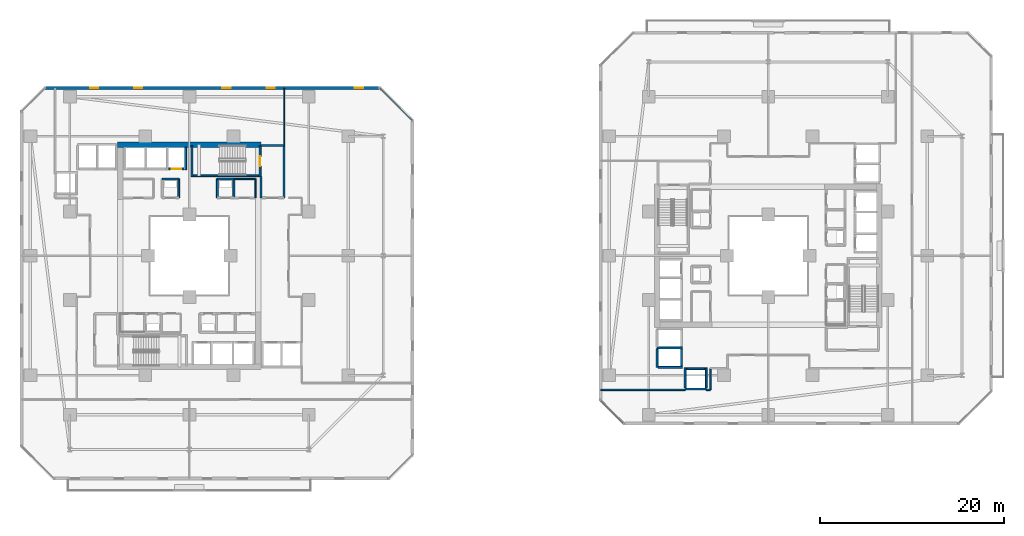
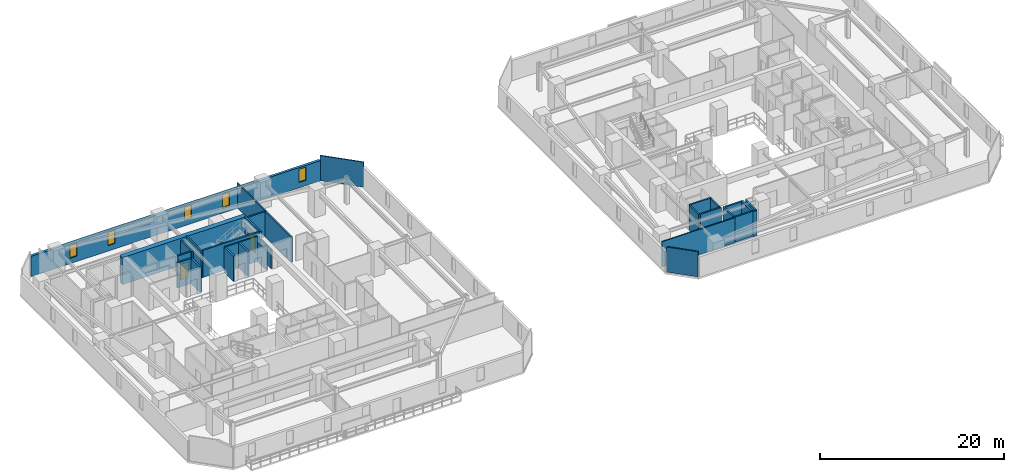
# One storey, part 23 of 34: 31 walls, 5 windows, 2 doors, 7 openings.
"""IFC4 building model written with IfcOpenShell, lengths in metres."""

from ifc_helpers import new_model, si_unit, direction, frame, frame_2d, origin, place, context, subcontext, project, spatial, rectangle, extrude, material, layer, layer_set, type_object, element, fill, save


model = new_model("IFC4")

# Units and contexts
model_context = context("Model", 3, precision=1e-05, world=origin(), true_north=direction((0.0, 1.0)))
body_context = subcontext(model_context, "Body", "Model", "MODEL_VIEW")
ifc_project = project(units=[si_unit("LENGTHUNIT", "METRE"), si_unit("AREAUNIT", "SQUARE_METRE"), si_unit("VOLUMEUNIT", "CUBIC_METRE"), si_unit("PLANEANGLEUNIT", "RADIAN"), si_unit("MASSUNIT", "GRAM", prefix="KILO")], contexts=[model_context])

# Site, building, storey
site_placement = place(None, origin())
site = spatial("IfcSite", under=ifc_project, at=site_placement, CompositionType="ELEMENT")
building_placement = place(site_placement, origin())
building = spatial("IfcBuilding", under=site, at=building_placement, Name="Thornwick Lancets Civic Towers", CompositionType="ELEMENT")
storey_placement = place(building_placement, frame((0.0, 0.0, 57.300048828125)))
storey = spatial("IfcBuildingStorey", under=building, at=storey_placement, Name="L14", CompositionType="ELEMENT", Elevation=57.300048828125)

# Wall, opening, door
ifc_material_1 = material(Name="Concrete blockwork C40/50", Category="masonry")
ifc_layer_1 = layer(ifc_material_1, 0.199951171875, Name="Concrete blockwork C40/50")
ifc_layer_set_1 = layer_set([ifc_layer_1], Name="Concrete blockwork C40/50")
wall_type_1 = type_object("IfcWallType", Name="WALL_COMP_200", PredefinedType="STANDARD", material=ifc_layer_set_1)
wall_1_placement = place(storey_placement, frame((24.919921875, 36.449951171875, 0.0), z_axis=(0.0, 0.0, 1.0), x_axis=(-1.0, 0.0, 0.0)))
wall_1 = element("IfcWall", 1, at=wall_1_placement, inside=storey, type_object=wall_type_1, Name="L14 Hoistway Front Wall FL-A2", PredefinedType="STANDARD", context=body_context, shape_type="SweptSolid", body=[
    extrude(rectangle(XDim=1.639892578125, YDim=0.199951171875, at=frame_2d((0.81982421875, 0.0))), origin(), (0.0, 0.0, 1.0), 3.33984375),
])
opening_1_placement = place(wall_1_placement, frame((0.31005859375, 0.0, 0.0)))
opening_1 = element("IfcOpeningElement", 2, at=opening_1_placement, cuts=wall_1, Name="Opening LD-FL-A2", PredefinedType="OPENING", context=body_context, shape_type="SweptSolid", body=[
    extrude(rectangle(XDim=1.02001953125, YDim=2.06005859375, at=frame_2d((0.510009765625, 1.030029296875))), frame((0.0, 0.10986328125, 0.0), z_axis=(0.0, -1.0, 0.0), x_axis=(1.0, 0.0, 0.0)), (0.0, 0.0, 1.0), 0.219970703125),
])
ifc_material_2 = material(Name="Brushed bronze stainless steel", Category="steel")
door_type_1 = type_object("IfcDoorType", Name="DOOR_LIFT_SLIDE", OperationType="SLIDING_TO_LEFT", PredefinedType="DOOR", material=ifc_material_2)
door_1_placement = place(opening_1_placement, origin())
door_1 = element("IfcDoor", 3, at=door_1_placement, inside=storey, type_object=door_type_1, Name="L14 Sliding Lift Landing Door LD-FL-A2", OperationType="SLIDING_TO_LEFT", OverallHeight=2.06005859375, OverallWidth=1.02001953125, PredefinedType="DOOR", context=body_context, shape_type="SweptSolid", body=[
    extrude(rectangle(XDim=1.02001953125, YDim=2.06005859375, at=frame_2d((0.510009765625, 1.030029296875))), frame((0.0, 0.02490234375, 0.0), z_axis=(0.0, -1.0, 0.0), x_axis=(1.0, 0.0, 0.0)), (0.0, 0.0, 1.0), 0.050048828125),
])
fill(opening_1, door_1)

# Walls
wall_2_placement = place(storey_placement, frame((79.050048828125, 15.030029296875, 0.0), z_axis=(0.0, 0.0, 1.0), x_axis=(0.0, 1.0, 0.0)))
element("IfcWall", 4, at=wall_2_placement, inside=storey, type_object=wall_type_1, Name="L14 Hoistway Front Wall PL-BM2", PredefinedType="STANDARD", context=body_context, shape_type="SweptSolid", body=[
    extrude(rectangle(XDim=1.7900390625, YDim=0.199951171875, at=frame_2d((0.89501953125, 0.0))), origin(), (0.0, 0.0, 1.0), 3.33984375),
])
wall_3_placement = place(storey_placement, frame((79.6298828125, 14.699951171875, 0.0), z_axis=(0.0, 0.0, 1.0), x_axis=(1.0, 0.0, 0.0)))
element("IfcWall", 5, at=wall_3_placement, inside=storey, type_object=wall_type_1, Name="L14 Hoistway Front Wall PL-BM3", PredefinedType="STANDARD", context=body_context, shape_type="SweptSolid", body=[
    extrude(rectangle(XDim=1.940185546875, YDim=0.199951171875, at=frame_2d((0.97021484375, 0.0))), origin(), (0.0, 0.0, 1.0), 3.33984375),
])
wall_4_placement = place(storey_placement, frame((25.10009765625, 36.35205078125, 0.0), z_axis=(0.0, 0.0, 1.0), x_axis=(0.0, 1.0, 0.0)))
element("IfcWall", 6, at=wall_4_placement, inside=storey, type_object=wall_type_1, Name="L14 Hoistway Shaft Wall FL-A2 E", PredefinedType="STANDARD", context=body_context, shape_type="SweptSolid", body=[
    extrude(rectangle(XDim=2.43603515625, YDim=0.199951171875, at=frame_2d((1.218017578125, 0.0))), origin(), (0.0, 0.0, 1.0), 3.33984375),
])
wall_5_placement = place(storey_placement, frame((76.402099609375, 16.97509765625, 0.0), z_axis=(0.0, 0.0, 1.0), x_axis=(1.0, 0.0, 0.0)))
element("IfcWall", 7, at=wall_5_placement, inside=storey, type_object=wall_type_1, Name="L14 Hoistway Shaft Wall PL-BM1 S", PredefinedType="STANDARD", context=body_context, shape_type="SweptSolid", body=[
    extrude(rectangle(XDim=2.745849609375, YDim=0.199951171875, at=frame_2d((1.373046875, 0.0))), origin(), (0.0, 0.0, 1.0), 3.33984375),
])
wall_6_placement = place(storey_placement, frame((76.39990234375, 14.85205078125, 0.0), z_axis=(0.0, 0.0, 1.0), x_axis=(0.0, 1.0, 0.0)))
element("IfcWall", 8, at=wall_6_placement, inside=storey, type_object=wall_type_1, Name="L14 Hoistway Shaft Wall PL-BM1 W", PredefinedType="STANDARD", context=body_context, shape_type="SweptSolid", body=[
    extrude(rectangle(XDim=2.015869140625, YDim=0.199951171875, at=frame_2d((1.0078125, 0.0))), origin(), (0.0, 0.0, 1.0), 3.33984375),
])
wall_7_placement = place(storey_placement, frame((76.511962890625, 14.85009765625, 0.0), z_axis=(0.0, 0.0, 1.0), x_axis=(1.0, 0.0, 0.0)))
element("IfcWall", 9, at=wall_7_placement, inside=storey, type_object=wall_type_1, Name="L14 Hoistway Shaft Wall PL-BM2 S", PredefinedType="STANDARD", context=body_context, shape_type="SweptSolid", body=[
    extrude(rectangle(XDim=2.635986328125, YDim=0.199951171875, at=frame_2d((1.31787109375, 0.0))), origin(), (0.0, 0.0, 1.0), 3.33984375),
])
wall_8_placement = place(storey_placement, frame((79.451904296875, 12.5, 0.0), z_axis=(0.0, 0.0, 1.0), x_axis=(1.0, 0.0, 0.0)))
element("IfcWall", 10, at=wall_8_placement, inside=storey, type_object=wall_type_1, Name="L14 Hoistway Shaft Wall PL-BM3 S", PredefinedType="STANDARD", context=body_context, shape_type="SweptSolid", body=[
    extrude(rectangle(XDim=2.296142578125, YDim=0.199951171875, at=frame_2d((1.14794921875, 0.0))), origin(), (0.0, 0.0, 1.0), 3.33984375),
])
for number, where, z_axis, x_axis, name in (
    (11, (81.75, 12.612060546875, 0.0), (0.0, 0.0, 1.0), (0.0, 1.0, 0.0), "L14 Hoistway Shaft Wall PL-BM3 E"),
    (12, (79.449951171875, 12.612060546875, 0.0), (0.0, 0.0, 1.0), (0.0, 1.0, 0.0), "L14 Hoistway Shaft Wall PL-BM3 W"),
):
    element("IfcWall", number, at=place(storey_placement, frame(where, z_axis=z_axis, x_axis=x_axis)), inside=storey, type_object=wall_type_1, Name=name, PredefinedType="STANDARD", context=body_context, shape_type="SweptSolid", body=[
        extrude(rectangle(XDim=2.18603515625, YDim=0.199951171875, at=frame_2d((1.093017578125, 0.0))), origin(), (0.0, 0.0, 1.0), 3.33984375),
    ])
wall_9_placement = place(storey_placement, frame((35.800048828125, 33.300048828125, 0.0), z_axis=(0.0, 0.0, 1.0), x_axis=(0.0, 1.0, 0.0)))
element("IfcWall", 13, at=wall_9_placement, inside=storey, type_object=wall_type_1, Name="L14 Partition L14-A-FFLOB2 E2", PredefinedType="STANDARD", context=body_context, shape_type="SweptSolid", body=[
    extrude(rectangle(XDim=5.699951171875, YDim=0.199951171875, at=frame_2d((2.85009765625, 0.0))), origin(), (0.0, 0.0, 1.0), 3.33984375),
])
wall_10_placement = place(storey_placement, frame((35.800048828125, 39.0, 0.0), z_axis=(0.0, 0.0, 1.0), x_axis=(-1.0, 0.0, 0.0)))
element("IfcWall", 14, at=wall_10_placement, inside=storey, type_object=wall_type_1, Name="L14 Partition L14-A-FFLOB2 E3", PredefinedType="STANDARD", context=body_context, shape_type="SweptSolid", body=[
    extrude(rectangle(XDim=2.5, YDim=0.199951171875, at=frame_2d((1.25, 0.0))), origin(), (0.0, 0.0, 1.0), 3.33984375),
])
wall_11_placement = place(storey_placement, frame((33.300048828125, 35.60009765625, 0.0), z_axis=(0.0, 0.0, 1.0), x_axis=(0.0, -1.0, 0.0)))
element("IfcWall", 15, at=wall_11_placement, inside=storey, type_object=wall_type_1, Name="L14 Partition L14-A-FFLOB2 E4", PredefinedType="STANDARD", context=body_context, shape_type="SweptSolid", body=[
    extrude(rectangle(XDim=2.300048828125, YDim=0.199951171875, at=frame_2d((1.14990234375, 0.0))), origin(), (0.0, 0.0, 1.0), 2.544921875),
])
wall_12_placement = place(storey_placement, frame((24.35009765625, 33.300048828125, 0.0), z_axis=(0.0, 0.0, 1.0), x_axis=(0.0, 1.0, 0.0)))
element("IfcWall", 16, at=wall_12_placement, inside=storey, type_object=wall_type_1, Name="L14 Partition L14-A-DUCT2 E2", PredefinedType="STANDARD", context=body_context, shape_type="SweptSolid", body=[
    extrude(rectangle(XDim=2.050048828125, YDim=0.199951171875, at=frame_2d((1.02490234375, 0.0))), origin(), (0.0, 0.0, 1.0), 3.33984375),
])
wall_13_placement = place(storey_placement, frame((24.35009765625, 35.35009765625, 0.0), z_axis=(0.0, 0.0, 1.0), x_axis=(-1.0, 0.0, 0.0)))
element("IfcWall", 17, at=wall_13_placement, inside=storey, type_object=wall_type_1, Name="L14 Partition L14-A-DUCT2 E3", PredefinedType="STANDARD", context=body_context, shape_type="SweptSolid", body=[
    extrude(rectangle(XDim=1.800048828125, YDim=0.199951171875, at=frame_2d((0.89990234375, 0.0))), origin(), (0.0, 0.0, 1.0), 3.33984375),
])
wall_14_placement = place(storey_placement, frame((30.35009765625, 33.300048828125, 0.0), z_axis=(0.0, 0.0, 1.0), x_axis=(0.0, 1.0, 0.0)))
element("IfcWall", 18, at=wall_14_placement, inside=storey, type_object=wall_type_1, Name="L14 Partition L14-A-RISER2 E2", PredefinedType="STANDARD", context=body_context, shape_type="SweptSolid", body=[
    extrude(rectangle(XDim=2.050048828125, YDim=0.199951171875, at=frame_2d((1.02490234375, 0.0))), origin(), (0.0, 0.0, 1.0), 3.33984375),
])
wall_15_placement = place(storey_placement, frame((30.35009765625, 35.35009765625, 0.0), z_axis=(0.0, 0.0, 1.0), x_axis=(-1.0, 0.0, 0.0)))
element("IfcWall", 19, at=wall_15_placement, inside=storey, type_object=wall_type_1, Name="L14 Partition L14-A-RISER2 E3", PredefinedType="STANDARD", context=body_context, shape_type="SweptSolid", body=[
    extrude(rectangle(XDim=1.800048828125, YDim=0.199951171875, at=frame_2d((0.89990234375, 0.0))), origin(), (0.0, 0.0, 1.0), 3.33984375),
])
wall_16_placement = place(storey_placement, frame((28.550048828125, 35.35009765625, 0.0), z_axis=(0.0, 0.0, 1.0), x_axis=(0.0, -1.0, 0.0)))
element("IfcWall", 20, at=wall_16_placement, inside=storey, type_object=wall_type_1, Name="L14 Partition L14-A-RISER2 E4", PredefinedType="STANDARD", context=body_context, shape_type="SweptSolid", body=[
    extrude(rectangle(XDim=2.050048828125, YDim=0.199951171875, at=frame_2d((1.02490234375, 0.0))), origin(), (0.0, 0.0, 1.0), 3.33984375),
])
ifc_material_3 = material(Name="Concrete C60/75", Category="concrete")
ifc_layer_2 = layer(ifc_material_3, 0.60009765625, Name="Concrete C60/75")
ifc_layer_set_2 = layer_set([ifc_layer_2], Name="Concrete C60/75")
wall_type_2 = type_object("IfcWallType", Name="WALL_CORE_600", PredefinedType="SHEAR", material=ifc_layer_set_2)
wall_17_placement = place(storey_placement, frame((17.699951171875, 39.10009765625, 0.0), z_axis=(0.0, 0.0, 1.0), x_axis=(1.0, 0.0, 0.0)))
element("IfcWall", 21, at=wall_17_placement, inside=storey, type_object=wall_type_2, Name="L14 Split Core A2 Shear Wall N", PredefinedType="SHEAR", context=body_context, shape_type="SweptSolid", body=[
    extrude(rectangle(XDim=15.60009765625, YDim=0.60009765625, at=frame_2d((7.800048828125, 0.0))), origin(), (0.0, 0.0, 1.0), 3.599853515625),
])

# Wall, openings, windows
ifc_material_4 = material(Name="Insulated buff terracotta rainscreen on concrete C40/50", Category="masonry")
ifc_layer_3 = layer(ifc_material_4, 0.320068359375, Name="Insulated buff terracotta rainscreen on concrete C40/50")
ifc_layer_set_3 = layer_set([ifc_layer_3], Name="Insulated buff terracotta rainscreen on concrete C40/50")
wall_type_3 = type_object("IfcWallType", Name="WALL_EXT_TERRA_320", PredefinedType="STANDARD", material=ifc_layer_set_3)
wall_18_placement = place(storey_placement, frame((46.202880859375, 45.26171875, 0.0), z_axis=(0.0, 0.0, 1.0), x_axis=(-0.999999996195, 8.7231344e-05, 0.0)))
wall_18 = element("IfcWall", 22, at=wall_18_placement, inside=storey, type_object=wall_type_3, Name="L14 Tower A Terracotta Facade Wall E4", PredefinedType="STANDARD", context=body_context, shape_type="SweptSolid", body=[
    extrude(rectangle(XDim=36.384033203125, YDim=0.320068359375, at=frame_2d((18.19189453125, 0.0))), origin(), (0.0, 0.0, 1.0), 2.699951171875),
])
opening_2_placement = place(wall_18_placement, frame((1.800048828125, 0.0, 0.719970703125)))
opening_2 = element("IfcOpeningElement", 23, at=opening_2_placement, cuts=wall_18, Name="Opening WL-01", PredefinedType="OPENING", context=body_context, shape_type="SweptSolid", body=[
    extrude(rectangle(XDim=0.89990234375, YDim=1.75, at=frame_2d((0.449951171875, 0.875))), frame((0.0, 0.169921875, 0.0), z_axis=(0.0, -1.0, 0.0), x_axis=(1.0, 0.0, 0.0)), (0.0, 0.0, 1.0), 0.340087890625),
])
opening_3_placement = place(wall_18_placement, frame((11.39990234375, 0.0, 0.719970703125)))
opening_3 = element("IfcOpeningElement", 24, at=opening_3_placement, cuts=wall_18, Name="Opening WL-01", PredefinedType="OPENING", context=body_context, shape_type="SweptSolid", body=[
    extrude(rectangle(XDim=0.89990234375, YDim=1.75, at=frame_2d((0.449951171875, 0.875))), frame((0.0, 0.169921875, 0.0), z_axis=(0.0, -1.0, 0.0), x_axis=(1.0, 0.0, 0.0)), (0.0, 0.0, 1.0), 0.340087890625),
])
opening_4_placement = place(wall_18_placement, frame((16.199951171875, 0.0, 0.719970703125)))
opening_4 = element("IfcOpeningElement", 25, at=opening_4_placement, cuts=wall_18, Name="Opening WL-01", PredefinedType="OPENING", context=body_context, shape_type="SweptSolid", body=[
    extrude(rectangle(XDim=0.89990234375, YDim=1.75, at=frame_2d((0.449951171875, 0.875))), frame((0.0, 0.169921875, 0.0), z_axis=(0.0, -1.0, 0.0), x_axis=(1.0, 0.0, 0.0)), (0.0, 0.0, 1.0), 0.340087890625),
])
opening_5_placement = place(wall_18_placement, frame((25.800048828125, 0.0, 0.719970703125)))
opening_5 = element("IfcOpeningElement", 26, at=opening_5_placement, cuts=wall_18, Name="Opening WL-01", PredefinedType="OPENING", context=body_context, shape_type="SweptSolid", body=[
    extrude(rectangle(XDim=0.89990234375, YDim=1.75, at=frame_2d((0.449951171875, 0.875))), frame((0.0, 0.169921875, 0.0), z_axis=(0.0, -1.0, 0.0), x_axis=(1.0, 0.0, 0.0)), (0.0, 0.0, 1.0), 0.340087890625),
])
opening_6_placement = place(wall_18_placement, frame((30.60009765625, 0.0, 0.719970703125)))
opening_6 = element("IfcOpeningElement", 27, at=opening_6_placement, cuts=wall_18, Name="Opening WL-01", PredefinedType="OPENING", context=body_context, shape_type="SweptSolid", body=[
    extrude(rectangle(XDim=0.89990234375, YDim=1.75, at=frame_2d((0.449951171875, 0.875))), frame((0.0, 0.169921875, 0.0), z_axis=(0.0, -1.0, 0.0), x_axis=(1.0, 0.0, 0.0)), (0.0, 0.0, 1.0), 0.340087890625),
])
ifc_material_5 = material(Name="Clear low-e double glazing in bronze frame", Category="glass")
window_type = type_object("IfcWindowType", Name="WIN_LANCET_900", PartitioningType="SINGLE_PANEL", PredefinedType="WINDOW", material=ifc_material_5)
window_1_placement = place(opening_2_placement, origin())
window_1 = element("IfcWindow", 28, at=window_1_placement, inside=storey, type_object=window_type, Name="L14 Tower A Staggered Lancet Window E4-1", OverallHeight=1.75, OverallWidth=0.89990234375, PartitioningType="SINGLE_PANEL", PredefinedType="WINDOW", context=body_context, shape_type="SweptSolid", body=[
    extrude(rectangle(XDim=0.89990234375, YDim=1.75, at=frame_2d((0.449951171875, 0.875))), frame((0.0, 0.030029296875, 0.0), z_axis=(0.0, -1.0, 0.0), x_axis=(1.0, 0.0, 0.0)), (0.0, 0.0, 1.0), 0.06005859375),
])
fill(opening_2, window_1)
window_2_placement = place(opening_3_placement, origin())
window_2 = element("IfcWindow", 29, at=window_2_placement, inside=storey, type_object=window_type, Name="L14 Tower A Staggered Lancet Window E4-2", OverallHeight=1.75, OverallWidth=0.89990234375, PartitioningType="SINGLE_PANEL", PredefinedType="WINDOW", context=body_context, shape_type="SweptSolid", body=[
    extrude(rectangle(XDim=0.89990234375, YDim=1.75, at=frame_2d((0.449951171875, 0.875))), frame((0.0, 0.030029296875, 0.0), z_axis=(0.0, -1.0, 0.0), x_axis=(1.0, 0.0, 0.0)), (0.0, 0.0, 1.0), 0.06005859375),
])
fill(opening_3, window_2)
window_3_placement = place(opening_4_placement, origin())
window_3 = element("IfcWindow", 30, at=window_3_placement, inside=storey, type_object=window_type, Name="L14 Tower A Staggered Lancet Window E4-3", OverallHeight=1.75, OverallWidth=0.89990234375, PartitioningType="SINGLE_PANEL", PredefinedType="WINDOW", context=body_context, shape_type="SweptSolid", body=[
    extrude(rectangle(XDim=0.89990234375, YDim=1.75, at=frame_2d((0.449951171875, 0.875))), frame((0.0, 0.030029296875, 0.0), z_axis=(0.0, -1.0, 0.0), x_axis=(1.0, 0.0, 0.0)), (0.0, 0.0, 1.0), 0.06005859375),
])
fill(opening_4, window_3)
window_4_placement = place(opening_5_placement, origin())
window_4 = element("IfcWindow", 31, at=window_4_placement, inside=storey, type_object=window_type, Name="L14 Tower A Staggered Lancet Window E4-4", OverallHeight=1.75, OverallWidth=0.89990234375, PartitioningType="SINGLE_PANEL", PredefinedType="WINDOW", context=body_context, shape_type="SweptSolid", body=[
    extrude(rectangle(XDim=0.89990234375, YDim=1.75, at=frame_2d((0.449951171875, 0.875))), frame((0.0, 0.030029296875, 0.0), z_axis=(0.0, -1.0, 0.0), x_axis=(1.0, 0.0, 0.0)), (0.0, 0.0, 1.0), 0.06005859375),
])
fill(opening_5, window_4)
window_5_placement = place(opening_6_placement, origin())
window_5 = element("IfcWindow", 32, at=window_5_placement, inside=storey, type_object=window_type, Name="L14 Tower A Staggered Lancet Window E4-5", OverallHeight=1.75, OverallWidth=0.89990234375, PartitioningType="SINGLE_PANEL", PredefinedType="WINDOW", context=body_context, shape_type="SweptSolid", body=[
    extrude(rectangle(XDim=0.89990234375, YDim=1.75, at=frame_2d((0.449951171875, 0.875))), frame((0.0, 0.030029296875, 0.0), z_axis=(0.0, -1.0, 0.0), x_axis=(1.0, 0.0, 0.0)), (0.0, 0.0, 1.0), 0.06005859375),
])
fill(opening_6, window_5)

# Walls
ifc_material_6 = material(Name="Acoustic gypsum board partition")
ifc_layer_4 = layer(ifc_material_6, 0.1201171875, Name="Acoustic gypsum board partition")
ifc_layer_set_4 = layer_set([ifc_layer_4], Name="Acoustic gypsum board partition")
wall_type_4 = type_object("IfcWallType", Name="WALL_PART_120", PredefinedType="PARTITIONING", material=ifc_layer_set_4)
wall_19_placement = place(storey_placement, frame((35.85009765625, 39.0, 0.0), z_axis=(0.0, 0.0, 1.0), x_axis=(0.0, 1.0, 0.0)))
element("IfcWall", 33, at=wall_19_placement, inside=storey, type_object=wall_type_4, Name="L14 Partition L14-A-E2 E5", PredefinedType="PARTITIONING", context=body_context, shape_type="SweptSolid", body=[
    extrude(rectangle(XDim=6.219970703125, YDim=0.1201171875, at=frame_2d((3.10986328125, 0.0))), origin(), (0.0, 0.0, 1.0), 3.33984375),
])
wall_20_placement = place(storey_placement, frame((46.243408203125, 45.219970703125, 0.0), z_axis=(0.0, 0.0, 1.0), x_axis=(0.707106781187, -0.707106781187, 0.0)))
element("IfcWall", 34, at=wall_20_placement, inside=storey, type_object=wall_type_4, Name="L14 Partition L14-A-E2 E7", PredefinedType="PARTITIONING", context=body_context, shape_type="SweptSolid", body=[
    extrude(rectangle(XDim=4.91650390625, YDim=0.1201171875, at=frame_2d((2.458251953125, 0.0))), origin(), (0.0, 0.0, 1.0), 3.33984375),
])
ifc_material_7 = material(Name="Twin-stud acoustic gypsum board")
ifc_layer_5 = layer(ifc_material_7, 0.14990234375, Name="Twin-stud acoustic gypsum board")
ifc_layer_set_5 = layer_set([ifc_layer_5], Name="Twin-stud acoustic gypsum board")
wall_type_5 = type_object("IfcWallType", Name="WALL_PART_150", PredefinedType="PARTITIONING", material=ifc_layer_set_5)
wall_21_placement = place(storey_placement, frame((32.699951171875, 35.35009765625, 0.0), z_axis=(0.0, 0.0, 1.0), x_axis=(0.0, -1.0, 0.0)))
element("IfcWall", 35, at=wall_21_placement, inside=storey, type_object=wall_type_5, Name="L14 Partition L14-A-FWC E1", PredefinedType="PARTITIONING", context=body_context, shape_type="SweptSolid", body=[
    extrude(rectangle(XDim=2.050048828125, YDim=0.14990234375, at=frame_2d((1.02490234375, 0.0))), origin(), (0.0, 0.0, 1.0), 2.544921875),
])
wall_22_placement = place(storey_placement, frame((30.35009765625, 35.35009765625, 0.0), z_axis=(0.0, 0.0, 1.0), x_axis=(1.0, 0.0, 0.0)))
element("IfcWall", 36, at=wall_22_placement, inside=storey, type_object=wall_type_5, Name="L14 Partition L14-A-FWC E4", PredefinedType="PARTITIONING", context=body_context, shape_type="SweptSolid", body=[
    extrude(rectangle(XDim=2.349853515625, YDim=0.14990234375, at=frame_2d((1.1748046875, 0.0))), origin(), (0.0, 0.0, 1.0), 3.33984375),
])
wall_23_placement = place(storey_placement, frame((72.774658203125, 8.780029296875, 0.0), z_axis=(0.0, 0.0, 1.0), x_axis=(-0.707106781187, 0.707106781187, 0.0)))
element("IfcWall", 37, at=wall_23_placement, inside=storey, type_object=wall_type_5, Name="L14 Partition L14-B-W2 E7", PredefinedType="PARTITIONING", context=body_context, shape_type="SweptSolid", body=[
    extrude(rectangle(XDim=3.52783203125, YDim=0.14990234375, at=frame_2d((1.763916015625, 0.0))), origin(), (0.0, 0.0, 1.0), 3.33984375),
])
wall_24_placement = place(storey_placement, frame((70.280029296875, 12.39990234375, 0.0), z_axis=(0.0, 0.0, 1.0), x_axis=(1.0, 0.0, 0.0)))
element("IfcWall", 38, at=wall_24_placement, inside=storey, type_object=wall_type_5, Name="L14 Partition L14-B-W2 E9", PredefinedType="PARTITIONING", context=body_context, shape_type="SweptSolid", body=[
    extrude(rectangle(XDim=9.171875, YDim=0.14990234375, at=frame_2d((4.5859375, 0.0))), origin(), (0.0, 0.0, 1.0), 3.33984375),
])
wall_25_placement = place(storey_placement, frame((81.748046875, 12.39990234375, 0.0), z_axis=(0.0, 0.0, 1.0), x_axis=(1.0, 0.0, 0.0)))
element("IfcWall", 39, at=wall_25_placement, inside=storey, type_object=wall_type_5, Name="L14 Partition L14-B-W2 E9", PredefinedType="PARTITIONING", context=body_context, shape_type="SweptSolid", body=[
    extrude(rectangle(XDim=0.451904296875, YDim=0.14990234375, at=frame_2d((0.22607421875, 0.0))), origin(), (0.0, 0.0, 1.0), 3.33984375),
])
wall_26_placement = place(storey_placement, frame((82.199951171875, 12.39990234375, 0.0), z_axis=(0.0, 0.0, 1.0), x_axis=(0.0, 1.0, 0.0)))
element("IfcWall", 40, at=wall_26_placement, inside=storey, type_object=wall_type_5, Name="L14 Partition L14-B-W2 E10", PredefinedType="PARTITIONING", context=body_context, shape_type="SweptSolid", body=[
    extrude(rectangle(XDim=2.300048828125, YDim=0.14990234375, at=frame_2d((1.14990234375, 0.0))), origin(), (0.0, 0.0, 1.0), 3.33984375),
])

# Wall, opening, door
ifc_material_8 = material(Name="Concrete C40/50", Category="concrete")
ifc_layer_6 = layer(ifc_material_8, 0.199951171875, Name="Concrete C40/50")
ifc_layer_set_6 = layer_set([ifc_layer_6], Name="Concrete C40/50")
wall_type_6 = type_object("IfcWallType", Name="WALL_SHAFT_200", PredefinedType="SHEAR", material=ifc_layer_set_6)
wall_27_placement = place(storey_placement, frame((33.199951171875, 38.949951171875, 0.0), z_axis=(0.0, 0.0, 1.0), x_axis=(0.0, -1.0, 0.0)))
wall_27 = element("IfcWall", 41, at=wall_27_placement, inside=storey, type_object=wall_type_6, Name="L14 ST-A2 Fire Stair Core Wall NEAR", PredefinedType="SHEAR", context=body_context, shape_type="SweptSolid", body=[
    extrude(rectangle(XDim=3.349853515625, YDim=0.199951171875, at=frame_2d((1.6748046875, 0.0))), origin(), (0.0, 0.0, 1.0), 3.599853515625),
])
opening_7_placement = place(wall_27_placement, frame((1.125, 0.0, 0.0)))
opening_7 = element("IfcOpeningElement", 42, at=opening_7_placement, cuts=wall_27, Name="Opening D-ST-A2-L14", PredefinedType="OPENING", context=body_context, shape_type="SweptSolid", body=[
    extrude(rectangle(XDim=1.10009765625, YDim=2.10009765625, at=frame_2d((0.550048828125, 1.050048828125))), frame((0.0, 0.10986328125, 0.0), z_axis=(0.0, -1.0, 0.0), x_axis=(1.0, 0.0, 0.0)), (0.0, 0.0, 1.0), 0.219970703125),
])
ifc_material_9 = material(Name="Fire-resisting steel and hardwood", Category="steel")
door_type_2 = type_object("IfcDoorType", Name="DOOR_STAIR_FD60", OperationType="NOTDEFINED", PredefinedType="DOOR", material=ifc_material_9)
door_2_placement = place(opening_7_placement, origin())
door_2 = element("IfcDoor", 43, at=door_2_placement, inside=storey, type_object=door_type_2, Name="L14 ST-A2 Exit Stair Door", OperationType="SINGLE_SWING_LEFT", OverallHeight=2.10009765625, OverallWidth=1.10009765625, PredefinedType="DOOR", context=body_context, shape_type="SweptSolid", body=[
    extrude(rectangle(XDim=1.10009765625, YDim=2.10009765625, at=frame_2d((0.550048828125, 1.050048828125))), frame((0.0, 0.02490234375, 0.0), z_axis=(0.0, -1.0, 0.0), x_axis=(1.0, 0.0, 0.0)), (0.0, 0.0, 1.0), 0.050048828125),
])
fill(opening_7, door_2)

# Walls
wall_28_placement = place(storey_placement, frame((25.800048828125, 35.60009765625, 0.0), z_axis=(0.0, 0.0, 1.0), x_axis=(0.0, 1.0, 0.0)))
element("IfcWall", 44, at=wall_28_placement, inside=storey, type_object=wall_type_6, Name="L14 ST-A2 Fire Stair Core Wall FAR", PredefinedType="SHEAR", context=body_context, shape_type="SweptSolid", body=[
    extrude(rectangle(XDim=3.349853515625, YDim=0.199951171875, at=frame_2d((1.6748046875, 0.0))), origin(), (0.0, 0.0, 1.0), 3.599853515625),
])
wall_29_placement = place(storey_placement, frame((25.949951171875, 35.702880859375, 0.0), z_axis=(0.0, 0.0, 1.0), x_axis=(1.0, 0.0, 0.0)))
element("IfcWall", 45, at=wall_29_placement, inside=storey, type_object=wall_type_6, Name="L14 ST-A2 Fire Stair Core Wall RIGHT", PredefinedType="SHEAR", context=body_context, shape_type="SweptSolid", body=[
    extrude(rectangle(XDim=7.10009765625, YDim=0.199951171875, at=frame_2d((3.550048828125, 0.0))), origin(), (0.0, 0.0, 1.0), 3.599853515625),
])

save(model, "model.ifc")
